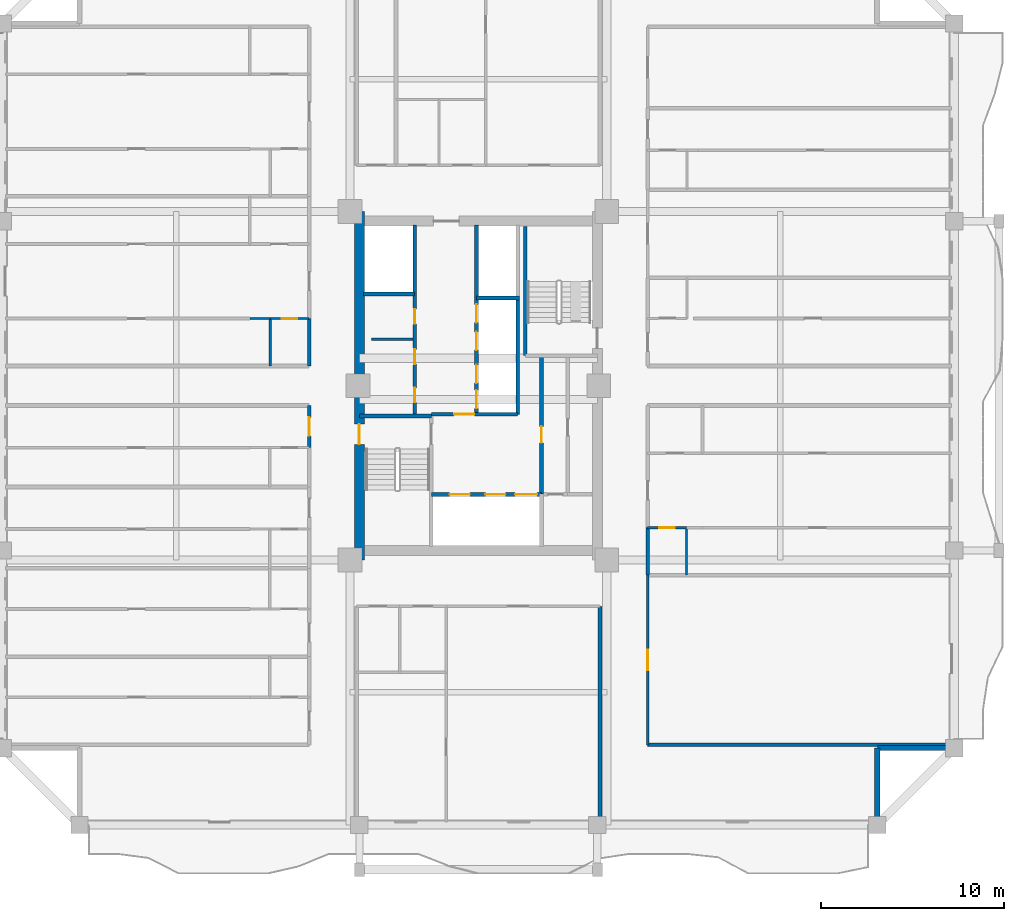
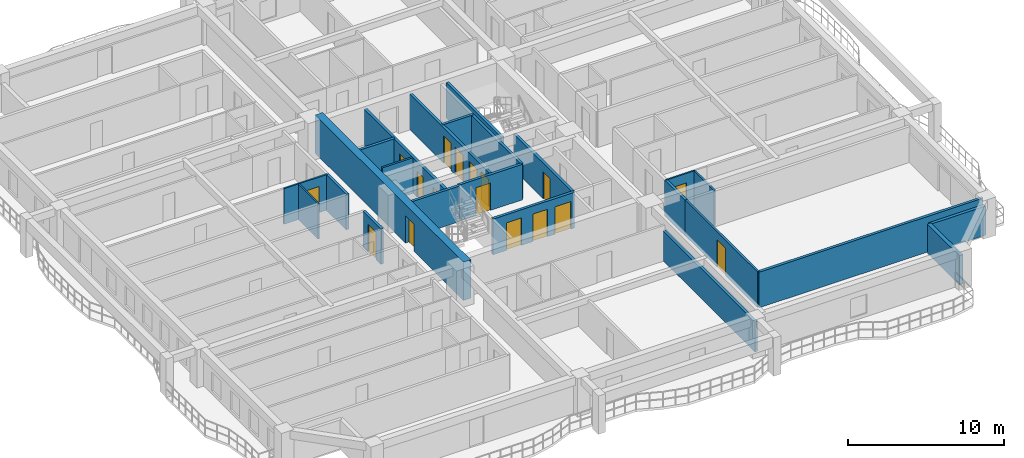
# One storey, part 4 of 13: 25 walls, 17 doors, 17 openings.
"""IFC4 building model written with IfcOpenShell, lengths in metres."""

from ifc_helpers import new_model, si_unit, direction, frame, frame_2d, origin, place, context, subcontext, project, spatial, rectangle, extrude, source, transform, mapped, material, layer, layer_set, type_object, element, fill, save


model = new_model("IFC4")

# Units and contexts
model_context = context("Model", 3, precision=1e-05, world=origin(), true_north=direction((0.0, 1.0)))
body_context = subcontext(model_context, "Body", "Model", "MODEL_VIEW")
ifc_project = project(units=[si_unit("LENGTHUNIT", "METRE"), si_unit("AREAUNIT", "SQUARE_METRE"), si_unit("VOLUMEUNIT", "CUBIC_METRE"), si_unit("PLANEANGLEUNIT", "RADIAN"), si_unit("MASSUNIT", "GRAM", prefix="KILO")], contexts=[model_context])

# Site, building, storey
site_placement = place(None, origin())
site = spatial("IfcSite", under=ifc_project, at=site_placement, CompositionType="ELEMENT")
building_placement = place(site_placement, origin())
building = spatial("IfcBuilding", under=site, at=building_placement, Name="Saelheon Loggia Tower", CompositionType="ELEMENT")
storey_placement = place(building_placement, frame((0.0, 0.0, 132.75)))
storey = spatial("IfcBuildingStorey", under=building, at=storey_placement, Name="L42", CompositionType="ELEMENT", Elevation=132.75)

# Wall, opening, door
ifc_material_1 = material(Name="Concrete C50/60", Category="concrete")
ifc_layer_1 = layer(ifc_material_1, 0.550048828125)
ifc_layer_set_1 = layer_set([ifc_layer_1], Name="Concrete C50/60")
wall_type_1 = type_object("IfcWallType", Name="Wall_CoreShear_550", PredefinedType="SHEAR", material=ifc_layer_set_1)
wall_1_placement = place(storey_placement, frame((31.5, 17.47998046875, 0.0), z_axis=(0.0, 0.0, 1.0), x_axis=(0.0, 1.0, 0.0)))
wall_1 = element("IfcWall", 1, at=wall_1_placement, inside=storey, type_object=wall_type_1, Name="L42 Core Shear Wall West", PredefinedType="SHEAR", context=body_context, shape_type="SweptSolid", body=[
    extrude(rectangle(XDim=19.0400390625, YDim=0.550048828125, at=frame_2d((9.52001953125, 0.0))), origin(), (0.0, 0.0, 1.0), 3.0),
])
opening_1_placement = place(wall_1_placement, frame((6.320068359375, 0.0, 0.0)))
opening_1 = element("IfcOpeningElement", 2, at=opening_1_placement, cuts=wall_1, Name="Opening D-FD2", PredefinedType="OPENING", context=body_context, shape_type="SweptSolid", body=[
    extrude(rectangle(XDim=1.10009765625, YDim=2.14990234375, at=frame_2d((0.550048828125, 1.074951171875))), frame((0.0, 0.287109375, 0.0), z_axis=(0.0, -1.0, 0.0), x_axis=(1.0, 0.0, 0.0)), (0.0, 0.0, 1.0), 0.573974609375),
])
ifc_material_2 = material(Name="Galvanised Steel Fire Door", Category="steel")
door_type_1 = type_object("IfcDoorType", Name="Door_Fire_FD60_1100", OperationType="NOTDEFINED", PredefinedType="DOOR", material=ifc_material_2)
shared_shape_1 = source(origin(), body_context, "Body", "SweptSolid", [
    extrude(rectangle(XDim=1.10009765625, YDim=2.14990234375, at=frame_2d((0.550048828125, 1.074951171875))), frame((0.0, 0.02490234375, 0.0), z_axis=(0.0, -1.0, 0.0), x_axis=(1.0, 0.0, 0.0)), (0.0, 0.0, 1.0), 0.050048828125),
])
door_1_placement = place(opening_1_placement, origin())
door_1 = element("IfcDoor", 3, at=door_1_placement, inside=storey, type_object=door_type_1, Name="L42 Stair ST1 Corridor Door", OperationType="SINGLE_SWING_LEFT", OverallHeight=2.14990234375, OverallWidth=1.10009765625, PredefinedType="DOOR", context=body_context, shape_type="MappedRepresentation", body=[
    mapped(shared_shape_1, transform((0.0, 0.0, 0.0), scale=1.0)),
])
fill(opening_1, door_1)

# Walls
ifc_material_3 = material(Name="Architectural Precast Concrete C40/50", Category="concrete")
ifc_layer_2 = layer(ifc_material_3, 0.280029296875)
ifc_layer_set_2 = layer_set([ifc_layer_2], Name="Architectural Precast Concrete C40/50")
wall_type_2 = type_object("IfcWallType", Name="Wall_Ext_Loggia_280", PredefinedType="SOLIDWALL", material=ifc_layer_set_2)
for number, where, z_axis, x_axis, name in (
    (4, (59.800048828125, 3.080078125, 0.0), (0.0, 0.0, 1.0), (0.0, 1.0, 0.0), "L42 Corner Notch Precast Wall SE1"),
    (5, (59.800048828125, 7.199951171875, 0.0), (0.0, 0.0, 1.0), (1.0, 0.0, 0.0), "L42 Corner Notch Precast Wall SE2"),
):
    element("IfcWall", number, at=place(storey_placement, frame(where, z_axis=z_axis, x_axis=x_axis)), inside=storey, type_object=wall_type_2, Name=name, PredefinedType="SOLIDWALL", context=body_context, shape_type="SweptSolid", body=[
        extrude(rectangle(XDim=4.119873046875, YDim=0.280029296875, at=frame_2d((2.06005859375, 0.0))), origin(), (0.0, 0.0, 1.0), 2.280029296875),
    ])
ifc_material_4 = material(Name="Lightweight Autoclaved Aerated Concrete Block and Acoustic Gypsum", Category="concrete")
ifc_layer_3 = layer(ifc_material_4, 0.14990234375)
ifc_layer_set_3 = layer_set([ifc_layer_3], Name="Lightweight Autoclaved Aerated Concrete Block and Acoustic Gypsum")
wall_type_3 = type_object("IfcWallType", Name="Wall_Part_150", PredefinedType="PARTITIONING", material=ifc_layer_set_3)
wall_2_placement = place(storey_placement, frame((32.14990234375, 29.550048828125, 0.0), z_axis=(0.0, 0.0, 1.0), x_axis=(1.0, 0.0, 0.0)))
element("IfcWall", 6, at=wall_2_placement, inside=storey, type_object=wall_type_3, Name="L42 Freed Core Partition PL1", PredefinedType="PARTITIONING", context=body_context, shape_type="SweptSolid", body=[
    extrude(rectangle(XDim=2.27001953125, YDim=0.14990234375, at=frame_2d((1.135009765625, 0.0))), origin(), (0.0, 0.0, 1.0), 2.7900390625),
])

# Wall, opening, door
wall_3_placement = place(storey_placement, frame((47.25, 7.3798828125, 0.0), z_axis=(0.0, 0.0, 1.0), x_axis=(0.0, 1.0, 0.0)))
wall_3 = element("IfcWall", 7, at=wall_3_placement, inside=storey, type_object=wall_type_3, Name="L42 ES Partition V03", PredefinedType="PARTITIONING", context=body_context, shape_type="SweptSolid", body=[
    extrude(rectangle(XDim=9.27001953125, YDim=0.14990234375, at=frame_2d((4.635009765625, 0.0))), origin(), (0.0, 0.0, 1.0), 2.7900390625),
])
opening_2_placement = place(wall_3_placement, frame((4.0849609375, 0.0, 0.0)))
opening_2 = element("IfcOpeningElement", 8, at=opening_2_placement, cuts=wall_3, Name="Opening D-FD2", PredefinedType="OPENING", context=body_context, shape_type="SweptSolid", body=[
    extrude(rectangle(XDim=1.10009765625, YDim=2.14990234375, at=frame_2d((0.550048828125, 1.074951171875))), frame((0.0, 0.0869140625, 0.0), z_axis=(0.0, -1.0, 0.0), x_axis=(1.0, 0.0, 0.0)), (0.0, 0.0, 1.0), 0.173828125),
])
door_2_placement = place(opening_2_placement, origin())
door_2 = element("IfcDoor", 9, at=door_2_placement, inside=storey, type_object=door_type_1, Name="L42 Resident Seminar and Study Hall Door A", OperationType="SINGLE_SWING_LEFT", OverallHeight=2.14990234375, OverallWidth=1.10009765625, PredefinedType="DOOR", context=body_context, shape_type="MappedRepresentation", body=[
    mapped(shared_shape_1, transform((0.0, 0.0, 0.0), scale=1.0)),
])
fill(opening_2, door_2)

# Wall
ifc_material_5 = material(Name="Double Acoustic Stud and Fireboard Partition", Category="gypsum")
ifc_layer_4 = layer(ifc_material_5, 0.199951171875)
ifc_layer_set_4 = layer_set([ifc_layer_4], Name="Double Acoustic Stud and Fireboard Partition")
wall_type_4 = type_object("IfcWallType", Name="Wall_Party_200", PredefinedType="PARTITIONING", material=ifc_layer_set_4)
wall_4_placement = place(storey_placement, frame((44.64990234375, 14.949951171875, 0.0), z_axis=(0.0, 0.0, 1.0), x_axis=(0.0, -1.0, 0.0)))
element("IfcWall", 10, at=wall_4_placement, inside=storey, type_object=wall_type_4, Name="L42 S Partition U02", PredefinedType="PARTITIONING", context=body_context, shape_type="SweptSolid", body=[
    extrude(rectangle(XDim=11.800048828125, YDim=0.199951171875, at=frame_2d((5.89990234375, 0.0))), origin(), (0.0, 0.0, 1.0), 2.340087890625),
])

# Wall, opening, door
wall_5_placement = place(storey_placement, frame((28.75, 23.620361328125, 0.0), z_axis=(0.0, 0.0, 1.0), x_axis=(0.0, 1.0, 0.0)))
wall_5 = element("IfcWall", 11, at=wall_5_placement, inside=storey, type_object=wall_type_4, Name="L42 WS Partition V25", PredefinedType="PARTITIONING", context=body_context, shape_type="SweptSolid", body=[
    extrude(rectangle(XDim=2.299560546875, YDim=0.199951171875, at=frame_2d((1.14990234375, 0.0))), origin(), (0.0, 0.0, 1.0), 2.7900390625),
])
opening_3_placement = place(wall_5_placement, frame((0.64990234375, 0.0, 0.0)))
opening_3 = element("IfcOpeningElement", 12, at=opening_3_placement, cuts=wall_5, Name="Opening D-FD1", PredefinedType="OPENING", context=body_context, shape_type="SweptSolid", body=[
    extrude(rectangle(XDim=1.0, YDim=2.14990234375, at=frame_2d((0.5, 1.074951171875))), frame((0.0, 0.112060546875, 0.0), z_axis=(0.0, -1.0, 0.0), x_axis=(1.0, 0.0, 0.0)), (0.0, 0.0, 1.0), 0.223876953125),
])
ifc_material_6 = material(Name="Fire-Rated Engineered Timber Entrance Door", Category="wood")
door_type_2 = type_object("IfcDoorType", Name="Door_Flat_FD30S", OperationType="NOTDEFINED", PredefinedType="DOOR", material=ifc_material_6)
shared_shape_2 = source(origin(), body_context, "Body", "SweptSolid", [
    extrude(rectangle(XDim=1.0, YDim=2.14990234375, at=frame_2d((0.5, 1.074951171875))), frame((0.0, 0.02490234375, 0.0), z_axis=(0.0, -1.0, 0.0), x_axis=(1.0, 0.0, 0.0)), (0.0, 0.0, 1.0), 0.050048828125),
])
door_3_placement = place(opening_3_placement, origin())
door_3 = element("IfcDoor", 13, at=door_3_placement, inside=storey, type_object=door_type_2, Name="Unit U04 Entrance Door", OperationType="SINGLE_SWING_RIGHT", OverallHeight=2.14990234375, OverallWidth=1.0, PredefinedType="DOOR", context=body_context, shape_type="MappedRepresentation", body=[
    mapped(shared_shape_2, transform((0.0, 0.0, 0.0), scale=1.0)),
])
fill(opening_3, door_3)

# Walls
wall_6_placement = place(storey_placement, frame((28.75, 28.080078125, 0.0), z_axis=(0.0, 0.0, 1.0), x_axis=(0.0, 1.0, 0.0)))
element("IfcWall", 14, at=wall_6_placement, inside=storey, type_object=wall_type_4, Name="L42 WN Partition V03", PredefinedType="PARTITIONING", context=body_context, shape_type="SweptSolid", body=[
    extrude(rectangle(XDim=2.595458984375, YDim=0.199951171875, at=frame_2d((1.2978515625, 0.0))), origin(), (0.0, 0.0, 1.0), 2.7900390625),
])
wall_7_placement = place(storey_placement, frame((47.25, 7.3798828125, 0.0), z_axis=(0.0, 0.0, 1.0), x_axis=(1.0, 0.0, 0.0)))
element("IfcWall", 15, at=wall_7_placement, inside=storey, type_object=wall_type_4, Name="L42 ES Partition U01", PredefinedType="PARTITIONING", context=body_context, shape_type="SweptSolid", body=[
    extrude(rectangle(XDim=16.60009765625, YDim=0.199951171875, at=frame_2d((8.300048828125, 0.0))), origin(), (0.0, 0.0, 1.0), 2.7900390625),
])
wall_8_placement = place(storey_placement, frame((47.25, 16.64990234375, 0.0), z_axis=(0.0, 0.0, 1.0), x_axis=(0.0, 1.0, 0.0)))
element("IfcWall", 16, at=wall_8_placement, inside=storey, type_object=wall_type_4, Name="L42 ES Partition V05", PredefinedType="PARTITIONING", context=body_context, shape_type="SweptSolid", body=[
    extrude(rectangle(XDim=2.595703125, YDim=0.199951171875, at=frame_2d((1.2978515625, 0.0))), origin(), (0.0, 0.0, 1.0), 2.7900390625),
])

# Wall, opening, door
ifc_material_7 = material(Name="Concrete C40/50", Category="concrete")
ifc_layer_5 = layer(ifc_material_7, 0.199951171875)
ifc_layer_set_5 = layer_set([ifc_layer_5], Name="Concrete C40/50")
wall_type_5 = type_object("IfcWallType", Name="Wall_Shaft_200", PredefinedType="PARTITIONING", material=ifc_layer_set_5)
wall_9_placement = place(storey_placement, frame((41.449951171875, 21.080078125, 0.0), z_axis=(0.0, 0.0, 1.0), x_axis=(0.0, 1.0, 0.0)))
wall_9 = element("IfcWall", 17, at=wall_9_placement, inside=storey, type_object=wall_type_5, Name="CW-INT-L42-BOH-W1", PredefinedType="PARTITIONING", context=body_context, shape_type="SweptSolid", body=[
    extrude(rectangle(XDim=7.52001953125, YDim=0.199951171875, at=frame_2d((3.760009765625, 0.0))), origin(), (0.0, 0.0, 1.0), 2.7900390625),
])
opening_4_placement = place(wall_9_placement, frame((2.800048828125, 0.0, 0.0)))
opening_4 = element("IfcOpeningElement", 18, at=opening_4_placement, cuts=wall_9, Name="Opening D-RS1", PredefinedType="OPENING", context=body_context, shape_type="SweptSolid", body=[
    extrude(rectangle(XDim=0.89990234375, YDim=2.10009765625, at=frame_2d((0.449951171875, 1.050048828125))), frame((0.0, 0.112060546875, 0.0), z_axis=(0.0, -1.0, 0.0), x_axis=(1.0, 0.0, 0.0)), (0.0, 0.0, 1.0), 0.223876953125),
])
ifc_material_8 = material(Name="Galvanised Steel Riser Access Door", Category="steel")
door_type_3 = type_object("IfcDoorType", Name="Door_Riser_FD60", OperationType="NOTDEFINED", PredefinedType="DOOR", material=ifc_material_8)
shared_shape_3 = source(origin(), body_context, "Body", "SweptSolid", [
    extrude(rectangle(XDim=0.89990234375, YDim=2.10009765625, at=frame_2d((0.449951171875, 1.050048828125))), frame((0.0, 0.02490234375, 0.0), z_axis=(0.0, -1.0, 0.0), x_axis=(1.0, 0.0, 0.0)), (0.0, 0.0, 1.0), 0.050048828125),
])
door_4_placement = place(opening_4_placement, origin())
door_4 = element("IfcDoor", 19, at=door_4_placement, inside=storey, type_object=door_type_3, Name="L42 Service Store Door", OperationType="SINGLE_SWING_RIGHT", OverallHeight=2.10009765625, OverallWidth=0.89990234375, PredefinedType="DOOR", context=body_context, shape_type="MappedRepresentation", body=[
    mapped(shared_shape_3, transform((0.0, 0.0, 0.0), scale=1.0)),
])
fill(opening_4, door_4)

# Wall
wall_10_placement = place(storey_placement, frame((40.14990234375, 25.43994140625, 0.0), z_axis=(0.0, 0.0, 1.0), x_axis=(0.0, 1.0, 0.0)))
element("IfcWall", 20, at=wall_10_placement, inside=storey, type_object=wall_type_5, Name="L42 Core Service Passage West Wall", PredefinedType="PARTITIONING", context=body_context, shape_type="SweptSolid", body=[
    extrude(rectangle(XDim=6.360107421875, YDim=0.199951171875, at=frame_2d((3.18017578125, 0.0))), origin(), (0.0, 0.0, 1.0), 2.7900390625),
])

# Wall, openings, doors
wall_11_placement = place(storey_placement, frame((35.429931640625, 21.06005859375, 0.0), z_axis=(0.0, 0.0, 1.0), x_axis=(1.0, 0.0, 0.0)))
wall_11 = element("IfcWall", 21, at=wall_11_placement, inside=storey, type_object=wall_type_5, Name="L42 Firefighting Lift Shaft Front Wall", PredefinedType="PARTITIONING", context=body_context, shape_type="SweptSolid", body=[
    extrude(rectangle(XDim=6.02001953125, YDim=0.199951171875, at=frame_2d((3.010009765625, 0.0))), origin(), (0.0, 0.0, 1.0), 2.7900390625),
])
opening_5_placement = place(wall_11_placement, frame((1.0, 0.0, 0.0)))
opening_5 = element("IfcOpeningElement", 22, at=opening_5_placement, cuts=wall_11, Name="Opening LD2", PredefinedType="OPENING", context=body_context, shape_type="SweptSolid", body=[
    extrude(rectangle(XDim=1.10009765625, YDim=2.14990234375, at=frame_2d((0.550048828125, 1.074951171875))), frame((0.0, 0.112060546875, 0.0), z_axis=(0.0, -1.0, 0.0), x_axis=(1.0, 0.0, 0.0)), (0.0, 0.0, 1.0), 0.223876953125),
])
opening_6_placement = place(wall_11_placement, frame((2.949951171875, 0.0, 0.0)))
opening_6 = element("IfcOpeningElement", 23, at=opening_6_placement, cuts=wall_11, Name="Opening LD2", PredefinedType="OPENING", context=body_context, shape_type="SweptSolid", body=[
    extrude(rectangle(XDim=1.10009765625, YDim=2.14990234375, at=frame_2d((0.550048828125, 1.074951171875))), frame((0.0, 0.112060546875, 0.0), z_axis=(0.0, -1.0, 0.0), x_axis=(1.0, 0.0, 0.0)), (0.0, 0.0, 1.0), 0.223876953125),
])
opening_7_placement = place(wall_11_placement, frame((4.580078125, 0.0, 0.0)))
opening_7 = element("IfcOpeningElement", 24, at=opening_7_placement, cuts=wall_11, Name="Opening LD3", PredefinedType="OPENING", context=body_context, shape_type="SweptSolid", body=[
    extrude(rectangle(XDim=1.199951171875, YDim=2.14990234375, at=frame_2d((0.60009765625, 1.074951171875))), frame((0.0, 0.112060546875, 0.0), z_axis=(0.0, -1.0, 0.0), x_axis=(1.0, 0.0, 0.0)), (0.0, 0.0, 1.0), 0.223876953125),
])
ifc_material_9 = material(Name="Firefighting Stainless Steel 316 Landing Door", Category="steel")
door_type_4 = type_object("IfcDoorType", Name="Door_Lift_LD2", OperationType="DOUBLE_DOOR_SLIDING", PredefinedType="DOOR", material=ifc_material_9)
door_5_placement = place(opening_5_placement, origin())
door_5 = element("IfcDoor", 25, at=door_5_placement, inside=storey, type_object=door_type_4, Name="L42 FF1 Landing Door", OperationType="DOUBLE_DOOR_SLIDING", OverallHeight=2.14990234375, OverallWidth=1.10009765625, PredefinedType="DOOR", context=body_context, shape_type="MappedRepresentation", body=[
    mapped(shared_shape_1, transform((0.0, 0.0, 0.0), scale=1.0)),
])
fill(opening_5, door_5)
door_6_placement = place(opening_6_placement, origin())
door_6 = element("IfcDoor", 26, at=door_6_placement, inside=storey, type_object=door_type_4, Name="L42 FF2 Landing Door", OperationType="DOUBLE_DOOR_SLIDING", OverallHeight=2.14990234375, OverallWidth=1.10009765625, PredefinedType="DOOR", context=body_context, shape_type="MappedRepresentation", body=[
    mapped(shared_shape_1, transform((0.0, 0.0, 0.0), scale=1.0)),
])
fill(opening_6, door_6)
ifc_material_10 = material(Name="Stretcher Lift Stainless Steel 304 Landing Door", Category="steel")
door_type_5 = type_object("IfcDoorType", Name="Door_Lift_LD3", OperationType="DOUBLE_DOOR_SLIDING", PredefinedType="DOOR", material=ifc_material_10)
shared_shape_4 = source(origin(), body_context, "Body", "SweptSolid", [
    extrude(rectangle(XDim=1.199951171875, YDim=2.14990234375, at=frame_2d((0.60009765625, 1.074951171875))), frame((0.0, 0.02490234375, 0.0), z_axis=(0.0, -1.0, 0.0), x_axis=(1.0, 0.0, 0.0)), (0.0, 0.0, 1.0), 0.050048828125),
])
door_7_placement = place(opening_7_placement, origin())
door_7 = element("IfcDoor", 27, at=door_7_placement, inside=storey, type_object=door_type_5, Name="L42 SV1 Landing Door", OperationType="DOUBLE_DOOR_SLIDING", OverallHeight=2.14990234375, OverallWidth=1.199951171875, PredefinedType="DOOR", context=body_context, shape_type="MappedRepresentation", body=[
    mapped(shared_shape_4, transform((0.0, 0.0, 0.0), scale=1.0)),
])
fill(opening_7, door_7)

# Wall, opening, door
wall_12_placement = place(storey_placement, frame((35.429931640625, 25.43994140625, 0.0), z_axis=(0.0, 0.0, 1.0), x_axis=(1.0, 0.0, 0.0)))
wall_12 = element("IfcWall", 28, at=wall_12_placement, inside=storey, type_object=wall_type_5, Name="L42 Firefighting Lobby Compartment Wall", PredefinedType="PARTITIONING", context=body_context, shape_type="SweptSolid", body=[
    extrude(rectangle(XDim=4.719970703125, YDim=0.199951171875, at=frame_2d((2.35986328125, 0.0))), origin(), (0.0, 0.0, 1.0), 2.7900390625),
])
opening_8_placement = place(wall_12_placement, frame((1.25, 0.0, 0.0)))
opening_8 = element("IfcOpeningElement", 29, at=opening_8_placement, cuts=wall_12, Name="Opening D-FD2", PredefinedType="OPENING", context=body_context, shape_type="SweptSolid", body=[
    extrude(rectangle(XDim=1.10009765625, YDim=2.14990234375, at=frame_2d((0.550048828125, 1.074951171875))), frame((0.0, 0.112060546875, 0.0), z_axis=(0.0, -1.0, 0.0), x_axis=(1.0, 0.0, 0.0)), (0.0, 0.0, 1.0), 0.223876953125),
])
door_8_placement = place(opening_8_placement, origin())
door_8 = element("IfcDoor", 30, at=door_8_placement, inside=storey, type_object=door_type_1, Name="L42 Firefighting Lobby Door", OperationType="SINGLE_SWING_LEFT", OverallHeight=2.14990234375, OverallWidth=1.10009765625, PredefinedType="DOOR", context=body_context, shape_type="MappedRepresentation", body=[
    mapped(shared_shape_1, transform((0.0, 0.0, 0.0), scale=1.0)),
])
fill(opening_8, door_8)

# Wall, openings, doors
wall_13_placement = place(storey_placement, frame((34.52001953125, 25.43994140625, 0.0), z_axis=(0.0, 0.0, 1.0), x_axis=(0.0, 1.0, 0.0)))
wall_13 = element("IfcWall", 31, at=wall_13_placement, inside=storey, type_object=wall_type_5, Name="L42 West Passenger Lift Bank Wall", PredefinedType="PARTITIONING", context=body_context, shape_type="SweptSolid", body=[
    extrude(rectangle(XDim=10.340087890625, YDim=0.199951171875, at=frame_2d((5.169921875, 0.0))), origin(), (0.0, 0.0, 1.0), 2.7900390625),
])
opening_9_placement = place(wall_13_placement, frame((0.64990234375, 0.0, 0.0)))
opening_9 = element("IfcOpeningElement", 32, at=opening_9_placement, cuts=wall_13, Name="Opening D-ST1", PredefinedType="OPENING", context=body_context, shape_type="SweptSolid", body=[
    extrude(rectangle(XDim=0.800048828125, YDim=2.050048828125, at=frame_2d((0.39990234375, 1.02490234375))), frame((0.0, 0.112060546875, 0.0), z_axis=(0.0, -1.0, 0.0), x_axis=(1.0, 0.0, 0.0)), (0.0, 0.0, 1.0), 0.223876953125),
])
opening_10_placement = place(wall_13_placement, frame((2.75, 0.0, 0.0)))
opening_10 = element("IfcOpeningElement", 33, at=opening_10_placement, cuts=wall_13, Name="Opening D-ST1", PredefinedType="OPENING", context=body_context, shape_type="SweptSolid", body=[
    extrude(rectangle(XDim=0.800048828125, YDim=2.050048828125, at=frame_2d((0.39990234375, 1.02490234375))), frame((0.0, 0.112060546875, 0.0), z_axis=(0.0, -1.0, 0.0), x_axis=(1.0, 0.0, 0.0)), (0.0, 0.0, 1.0), 0.223876953125),
])
opening_11_placement = place(wall_13_placement, frame((4.949951171875, 0.0, 0.0)))
opening_11 = element("IfcOpeningElement", 34, at=opening_11_placement, cuts=wall_13, Name="Opening D-ST1", PredefinedType="OPENING", context=body_context, shape_type="SweptSolid", body=[
    extrude(rectangle(XDim=0.800048828125, YDim=2.050048828125, at=frame_2d((0.39990234375, 1.02490234375))), frame((0.0, 0.112060546875, 0.0), z_axis=(0.0, -1.0, 0.0), x_axis=(1.0, 0.0, 0.0)), (0.0, 0.0, 1.0), 0.223876953125),
])
ifc_material_11 = material(Name="Powder-Coated Steel Store Door", Category="steel")
door_type_6 = type_object("IfcDoorType", Name="Door_Store_800", OperationType="NOTDEFINED", PredefinedType="DOOR", material=ifc_material_11)
shared_shape_5 = source(origin(), body_context, "Body", "SweptSolid", [
    extrude(rectangle(XDim=0.800048828125, YDim=2.050048828125, at=frame_2d((0.39990234375, 1.02490234375))), frame((0.0, 0.02490234375, 0.0), z_axis=(0.0, -1.0, 0.0), x_axis=(1.0, 0.0, 0.0)), (0.0, 0.0, 1.0), 0.050048828125),
])
door_9_placement = place(opening_9_placement, origin())
door_9 = element("IfcDoor", 35, at=door_9_placement, inside=storey, type_object=door_type_6, Name="L42 Telecom Store Door", OperationType="SINGLE_SWING_LEFT", OverallHeight=2.050048828125, OverallWidth=0.800048828125, PredefinedType="DOOR", context=body_context, shape_type="MappedRepresentation", body=[
    mapped(shared_shape_5, transform((0.0, 0.0, 0.0), scale=1.0)),
])
fill(opening_9, door_9)
door_10_placement = place(opening_10_placement, origin())
door_10 = element("IfcDoor", 36, at=door_10_placement, inside=storey, type_object=door_type_6, Name="L42 Linen Closet Door", OperationType="SINGLE_SWING_RIGHT", OverallHeight=2.050048828125, OverallWidth=0.800048828125, PredefinedType="DOOR", context=body_context, shape_type="MappedRepresentation", body=[
    mapped(shared_shape_5, transform((0.0, 0.0, 0.0), scale=1.0)),
])
fill(opening_10, door_10)
door_11_placement = place(opening_11_placement, origin())
door_11 = element("IfcDoor", 37, at=door_11_placement, inside=storey, type_object=door_type_6, Name="L42 Metering Store Door", OperationType="SINGLE_SWING_LEFT", OverallHeight=2.050048828125, OverallWidth=0.800048828125, PredefinedType="DOOR", context=body_context, shape_type="MappedRepresentation", body=[
    mapped(shared_shape_5, transform((0.0, 0.0, 0.0), scale=1.0)),
])
fill(opening_11, door_11)

# Wall
wall_14_placement = place(storey_placement, frame((31.719970703125, 32.02001953125, 0.0), z_axis=(0.0, 0.0, 1.0), x_axis=(1.0, 0.0, 0.0)))
element("IfcWall", 38, at=wall_14_placement, inside=storey, type_object=wall_type_5, Name="L42 West High-Rise Shaft Divider", PredefinedType="PARTITIONING", context=body_context, shape_type="SweptSolid", body=[
    extrude(rectangle(XDim=2.800048828125, YDim=0.199951171875, at=frame_2d((1.39990234375, 0.0))), origin(), (0.0, 0.0, 1.0), 2.7900390625),
])

# Wall, openings, doors
wall_15_placement = place(storey_placement, frame((37.89990234375, 25.43994140625, 0.0), z_axis=(0.0, 0.0, 1.0), x_axis=(0.0, 1.0, 0.0)))
wall_15 = element("IfcWall", 39, at=wall_15_placement, inside=storey, type_object=wall_type_5, Name="L42 East Passenger Lift Bank Wall", PredefinedType="PARTITIONING", context=body_context, shape_type="SweptSolid", body=[
    extrude(rectangle(XDim=10.340087890625, YDim=0.199951171875, at=frame_2d((5.169921875, 0.0))), origin(), (0.0, 0.0, 1.0), 2.7900390625),
])
opening_12_placement = place(wall_15_placement, frame((0.320068359375, 0.0, 0.0)))
opening_12 = element("IfcOpeningElement", 40, at=opening_12_placement, cuts=wall_15, Name="Opening LD1", PredefinedType="OPENING", context=body_context, shape_type="SweptSolid", body=[
    extrude(rectangle(XDim=1.0, YDim=2.14990234375, at=frame_2d((0.5, 1.074951171875))), frame((0.0, 0.112060546875, 0.0), z_axis=(0.0, -1.0, 0.0), x_axis=(1.0, 0.0, 0.0)), (0.0, 0.0, 1.0), 0.223876953125),
])
opening_13_placement = place(wall_15_placement, frame((1.7099609375, 0.0, 0.0)))
opening_13 = element("IfcOpeningElement", 41, at=opening_13_placement, cuts=wall_15, Name="Opening LD1", PredefinedType="OPENING", context=body_context, shape_type="SweptSolid", body=[
    extrude(rectangle(XDim=1.0, YDim=2.14990234375, at=frame_2d((0.5, 1.074951171875))), frame((0.0, 0.112060546875, 0.0), z_axis=(0.0, -1.0, 0.0), x_axis=(1.0, 0.0, 0.0)), (0.0, 0.0, 1.0), 0.223876953125),
])
opening_14_placement = place(wall_15_placement, frame((3.510009765625, 0.0, 0.0)))
opening_14 = element("IfcOpeningElement", 42, at=opening_14_placement, cuts=wall_15, Name="Opening LD1", PredefinedType="OPENING", context=body_context, shape_type="SweptSolid", body=[
    extrude(rectangle(XDim=1.0, YDim=2.14990234375, at=frame_2d((0.5, 1.074951171875))), frame((0.0, 0.112060546875, 0.0), z_axis=(0.0, -1.0, 0.0), x_axis=(1.0, 0.0, 0.0)), (0.0, 0.0, 1.0), 0.223876953125),
])
opening_15_placement = place(wall_15_placement, frame((5.010009765625, 0.0, 0.0)))
opening_15 = element("IfcOpeningElement", 43, at=opening_15_placement, cuts=wall_15, Name="Opening LD1", PredefinedType="OPENING", context=body_context, shape_type="SweptSolid", body=[
    extrude(rectangle(XDim=1.0, YDim=2.14990234375, at=frame_2d((0.5, 1.074951171875))), frame((0.0, 0.112060546875, 0.0), z_axis=(0.0, -1.0, 0.0), x_axis=(1.0, 0.0, 0.0)), (0.0, 0.0, 1.0), 0.223876953125),
])
ifc_material_12 = material(Name="Brushed Stainless Steel 304 Landing Door", Category="steel")
door_type_7 = type_object("IfcDoorType", Name="Door_Lift_LD1", OperationType="DOUBLE_DOOR_SLIDING", PredefinedType="DOOR", material=ifc_material_12)
door_12_placement = place(opening_12_placement, origin())
door_12 = element("IfcDoor", 44, at=door_12_placement, inside=storey, type_object=door_type_7, Name="L42 PM1 Landing Door", OperationType="DOUBLE_DOOR_SLIDING", OverallHeight=2.14990234375, OverallWidth=1.0, PredefinedType="DOOR", context=body_context, shape_type="MappedRepresentation", body=[
    mapped(shared_shape_2, transform((0.0, 0.0, 0.0), scale=1.0)),
])
fill(opening_12, door_12)
door_13_placement = place(opening_13_placement, origin())
door_13 = element("IfcDoor", 45, at=door_13_placement, inside=storey, type_object=door_type_7, Name="L42 PM2 Landing Door", OperationType="DOUBLE_DOOR_SLIDING", OverallHeight=2.14990234375, OverallWidth=1.0, PredefinedType="DOOR", context=body_context, shape_type="MappedRepresentation", body=[
    mapped(shared_shape_2, transform((0.0, 0.0, 0.0), scale=1.0)),
])
fill(opening_13, door_13)
door_14_placement = place(opening_14_placement, origin())
door_14 = element("IfcDoor", 46, at=door_14_placement, inside=storey, type_object=door_type_7, Name="L42 PM3 Landing Door", OperationType="DOUBLE_DOOR_SLIDING", OverallHeight=2.14990234375, OverallWidth=1.0, PredefinedType="DOOR", context=body_context, shape_type="MappedRepresentation", body=[
    mapped(shared_shape_2, transform((0.0, 0.0, 0.0), scale=1.0)),
])
fill(opening_14, door_14)
door_15_placement = place(opening_15_placement, origin())
door_15 = element("IfcDoor", 47, at=door_15_placement, inside=storey, type_object=door_type_7, Name="L42 PM4 Landing Door", OperationType="DOUBLE_DOOR_SLIDING", OverallHeight=2.14990234375, OverallWidth=1.0, PredefinedType="DOOR", context=body_context, shape_type="MappedRepresentation", body=[
    mapped(shared_shape_2, transform((0.0, 0.0, 0.0), scale=1.0)),
])
fill(opening_15, door_15)

# Walls
wall_16_placement = place(storey_placement, frame((37.89990234375, 31.800048828125, 0.0), z_axis=(0.0, 0.0, 1.0), x_axis=(1.0, 0.0, 0.0)))
element("IfcWall", 48, at=wall_16_placement, inside=storey, type_object=wall_type_5, Name="L42 East High-Rise Shaft Divider", PredefinedType="PARTITIONING", context=body_context, shape_type="SweptSolid", body=[
    extrude(rectangle(XDim=2.35009765625, YDim=0.199951171875, at=frame_2d((1.175048828125, 0.0))), origin(), (0.0, 0.0, 1.0), 2.7900390625),
])
ifc_material_13 = material(Name="Concrete C45/55", Category="concrete")
ifc_layer_6 = layer(ifc_material_13, 0.199951171875)
ifc_layer_set_6 = layer_set([ifc_layer_6], Name="Concrete C45/55")
wall_type_6 = type_object("IfcWallType", Name="Wall_StairShaft_RC200", PredefinedType="SOLIDWALL", material=ifc_layer_set_6)
wall_17_placement = place(storey_placement, frame((31.5, 25.35009765625, 0.0), z_axis=(0.0, 0.0, 1.0), x_axis=(1.0, 0.0, 0.0)))
element("IfcWall", 49, at=wall_17_placement, inside=storey, type_object=wall_type_6, Name="L42 Stair ST1 North Wall", PredefinedType="SOLIDWALL", context=body_context, shape_type="SweptSolid", body=[
    extrude(rectangle(XDim=3.929931640625, YDim=0.199951171875, at=frame_2d((1.96484375, 0.0))), origin(), (0.0, 0.0, 1.0), 2.7900390625),
])
wall_18_placement = place(storey_placement, frame((40.570068359375, 28.64990234375, 0.0), z_axis=(0.0, 0.0, 1.0), x_axis=(0.0, 1.0, 0.0)))
element("IfcWall", 50, at=wall_18_placement, inside=storey, type_object=wall_type_6, Name="L42 Stair ST2 Shaft Wall", PredefinedType="SOLIDWALL", context=body_context, shape_type="SweptSolid", body=[
    extrude(rectangle(XDim=7.050048828125, YDim=0.199951171875, at=frame_2d((3.52490234375, 0.0))), origin(), (0.0, 0.0, 1.0), 2.7900390625),
])
ifc_material_14 = material(Name="Moisture-Resistant Cement Board Partition", Category="gypsum")
ifc_layer_7 = layer(ifc_material_14, 0.1201171875)
ifc_layer_set_7 = layer_set([ifc_layer_7], Name="Moisture-Resistant Cement Board Partition")
wall_type_7 = type_object("IfcWallType", Name="Wall_WetPart_120", PredefinedType="PARTITIONING", material=ifc_layer_set_7)
wall_19_placement = place(storey_placement, frame((26.6298828125, 28.080078125, 0.0), z_axis=(0.0, 0.0, 1.0), x_axis=(0.0, 1.0, 0.0)))
element("IfcWall", 51, at=wall_19_placement, inside=storey, type_object=wall_type_7, Name="L42 WN Partition V06", PredefinedType="PARTITIONING", context=body_context, shape_type="SweptSolid", body=[
    extrude(rectangle(XDim=2.595458984375, YDim=0.1201171875, at=frame_2d((1.2978515625, 0.0))), origin(), (0.0, 0.0, 1.0), 2.7900390625),
])

# Wall, opening, door
wall_20_placement = place(storey_placement, frame((28.75, 30.675537109375, 0.0), z_axis=(0.0, 0.0, 1.0), x_axis=(-1.0, 0.0, 0.0)))
wall_20 = element("IfcWall", 52, at=wall_20_placement, inside=storey, type_object=wall_type_7, Name="L42 WN Partition U08", PredefinedType="PARTITIONING", context=body_context, shape_type="SweptSolid", body=[
    extrude(rectangle(XDim=2.1201171875, YDim=0.1201171875, at=frame_2d((1.06005859375, 0.0))), origin(), (0.0, 0.0, 1.0), 2.7900390625),
])
opening_16_placement = place(wall_20_placement, frame((0.635009765625, 0.0, 0.0)))
opening_16 = element("IfcOpeningElement", 53, at=opening_16_placement, cuts=wall_20, Name="Opening D-BT1", PredefinedType="OPENING", context=body_context, shape_type="SweptSolid", body=[
    extrude(rectangle(XDim=0.85009765625, YDim=2.050048828125, at=frame_2d((0.425048828125, 1.02490234375))), frame((0.0, 0.072021484375, 0.0), z_axis=(0.0, -1.0, 0.0), x_axis=(1.0, 0.0, 0.0)), (0.0, 0.0, 1.0), 0.14404296875),
])
ifc_material_15 = material(Name="Moisture-Resistant Laminate Timber Door", Category="wood")
door_type_8 = type_object("IfcDoorType", Name="Door_Bath_850", OperationType="NOTDEFINED", PredefinedType="DOOR", material=ifc_material_15)
shared_shape_6 = source(origin(), body_context, "Body", "SweptSolid", [
    extrude(rectangle(XDim=0.85009765625, YDim=2.050048828125, at=frame_2d((0.425048828125, 1.02490234375))), frame((0.0, 0.02490234375, 0.0), z_axis=(0.0, -1.0, 0.0), x_axis=(1.0, 0.0, 0.0)), (0.0, 0.0, 1.0), 0.050048828125),
])
door_16_placement = place(opening_16_placement, origin())
door_16 = element("IfcDoor", 54, at=door_16_placement, inside=storey, type_object=door_type_8, Name="Unit U05 Bathroom Door", OperationType="SINGLE_SWING_RIGHT", OverallHeight=2.050048828125, OverallWidth=0.85009765625, PredefinedType="DOOR", context=body_context, shape_type="MappedRepresentation", body=[
    mapped(shared_shape_6, transform((0.0, 0.0, 0.0), scale=1.0)),
])
fill(opening_16, door_16)

# Walls
wall_21_placement = place(storey_placement, frame((26.6298828125, 30.675537109375, 0.0), z_axis=(0.0, 0.0, 1.0), x_axis=(-1.0, 0.0, 0.0)))
element("IfcWall", 55, at=wall_21_placement, inside=storey, type_object=wall_type_7, Name="L42 WN Partition U09", PredefinedType="PARTITIONING", context=body_context, shape_type="SweptSolid", body=[
    extrude(rectangle(XDim=1.119873046875, YDim=0.1201171875, at=frame_2d((0.56005859375, 0.0))), origin(), (0.0, 0.0, 1.0), 2.7900390625),
])
wall_22_placement = place(storey_placement, frame((49.3701171875, 16.64990234375, 0.0), z_axis=(0.0, 0.0, 1.0), x_axis=(0.0, 1.0, 0.0)))
element("IfcWall", 56, at=wall_22_placement, inside=storey, type_object=wall_type_7, Name="L42 ES Partition V08", PredefinedType="PARTITIONING", context=body_context, shape_type="SweptSolid", body=[
    extrude(rectangle(XDim=2.595703125, YDim=0.1201171875, at=frame_2d((1.2978515625, 0.0))), origin(), (0.0, 0.0, 1.0), 2.7900390625),
])

# Wall, opening, door
wall_23_placement = place(storey_placement, frame((47.25, 19.24560546875, 0.0), z_axis=(0.0, 0.0, 1.0), x_axis=(1.0, 0.0, 0.0)))
wall_23 = element("IfcWall", 57, at=wall_23_placement, inside=storey, type_object=wall_type_7, Name="L42 ES Partition U10", PredefinedType="PARTITIONING", context=body_context, shape_type="SweptSolid", body=[
    extrude(rectangle(XDim=2.1201171875, YDim=0.1201171875, at=frame_2d((1.06005859375, 0.0))), origin(), (0.0, 0.0, 1.0), 2.7900390625),
])
opening_17_placement = place(wall_23_placement, frame((0.635009765625, 0.0, 0.0)))
opening_17 = element("IfcOpeningElement", 58, at=opening_17_placement, cuts=wall_23, Name="Opening D-BT1", PredefinedType="OPENING", context=body_context, shape_type="SweptSolid", body=[
    extrude(rectangle(XDim=0.85009765625, YDim=2.050048828125, at=frame_2d((0.425048828125, 1.02490234375))), frame((0.0, 0.072021484375, 0.0), z_axis=(0.0, -1.0, 0.0), x_axis=(1.0, 0.0, 0.0)), (0.0, 0.0, 1.0), 0.14404296875),
])
door_17_placement = place(opening_17_placement, origin())
door_17 = element("IfcDoor", 59, at=door_17_placement, inside=storey, type_object=door_type_8, Name="Unit U07 Bathroom Door", OperationType="SINGLE_SWING_LEFT", OverallHeight=2.050048828125, OverallWidth=0.85009765625, PredefinedType="DOOR", context=body_context, shape_type="MappedRepresentation", body=[
    mapped(shared_shape_6, transform((0.0, 0.0, 0.0), scale=1.0)),
])
fill(opening_17, door_17)

save(model, "model.ifc")
